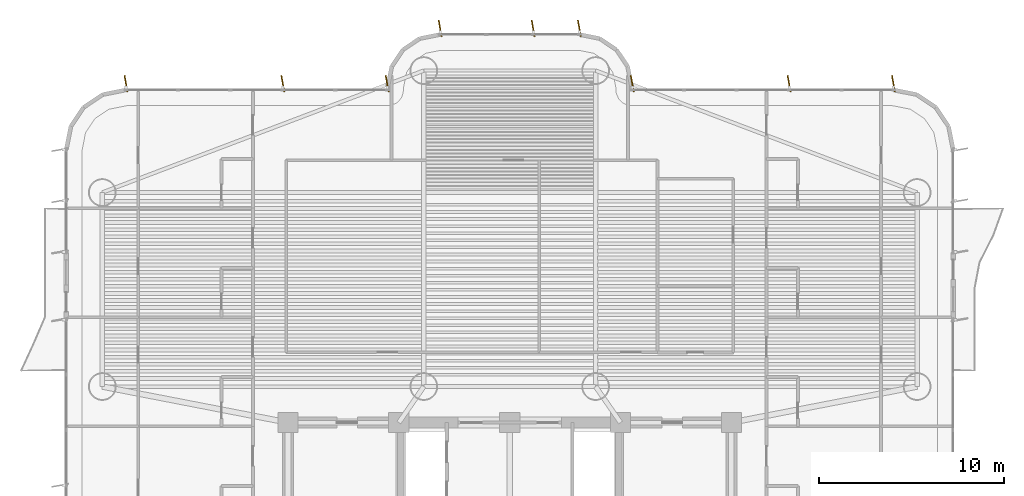
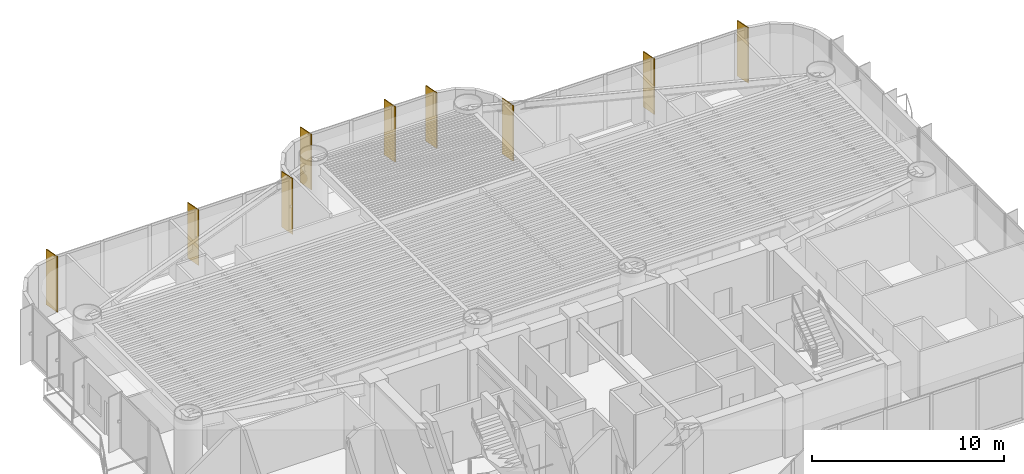
# One storey, part 18 of 18: 9 shading devices.
"""IFC4 building model written with IfcOpenShell, lengths in metres."""

from ifc_helpers import new_model, si_unit, direction, frame, origin, origin_2d, place, context, subcontext, project, spatial, rectangle, extrude, source, transform, mapped, material, material_profile, profile_set, type_object, element, save


model = new_model("IFC4")

# Units and contexts
model_context = context("Model", 3, precision=1e-05, world=origin(), true_north=direction((0.0, 1.0)))
body_context = subcontext(model_context, "Body", "Model", "MODEL_VIEW")
ifc_project = project(units=[si_unit("LENGTHUNIT", "METRE"), si_unit("AREAUNIT", "SQUARE_METRE"), si_unit("VOLUMEUNIT", "CUBIC_METRE"), si_unit("PLANEANGLEUNIT", "RADIAN"), si_unit("MASSUNIT", "GRAM", prefix="KILO")], contexts=[model_context])

# Site, building, storey
site_placement = place(None, origin())
site = spatial("IfcSite", under=ifc_project, at=site_placement, CompositionType="ELEMENT")
building_placement = place(site_placement, origin())
building = spatial("IfcBuilding", under=site, at=building_placement, Name="Brelvock Crest Care Tower", CompositionType="ELEMENT")
storey_placement = place(building_placement, frame((0.0, 0.0, 42.1201171875)))
storey = spatial("IfcBuildingStorey", under=building, at=storey_placement, Name="L10", CompositionType="ELEMENT", Elevation=42.1201171875)

# Shading devices
ifc_material = material(Name="Aluminium 6063-T6", Category="aluminium")
ifc_material_profile = material_profile(ifc_material, rectangle(XDim=0.054931640625, YDim=0.89990234375, at=origin_2d()), Name="FIN55x900")
ifc_profile_set = profile_set([ifc_material_profile], Name="Aluminium 6063-T6")
shading_device_type = type_object("IfcShadingDeviceType", Name="SHD-FIN1", PredefinedType="USERDEFINED", material=ifc_profile_set)
shared_shape = source(origin(), body_context, "Body", "SweptSolid", [
    extrude(rectangle(XDim=0.054931640625, YDim=0.89990234375, at=origin_2d()), origin(), (0.0, 0.0, 1.0), 3.52978515625),
])
for number, where, z_axis, x_axis, name in (
    (1, (15.232421875, 36.340087890625, 0.0), (0.0, 0.0, 1.0), (0.984807753012, 0.173648177667, 0.0), "L10 Vertical Sunshade Fin E18-01"),
    (2, (23.719970703125, 36.340087890625, 0.0), (0.0, 0.0, 1.0), (0.984807753012, 0.173648177667, 0.0), "L10 Vertical Sunshade Fin E18-04"),
    (3, (29.367431640625, 36.340087890625, 0.0), (0.0, 0.0, 1.0), (0.984807753012, 0.173648177667, 0.0), "L10 Vertical Sunshade Fin E18-06"),
    (4, (32.232421875, 39.340087890625, 0.0), (0.0, 0.0, 1.0), (0.984807753012, 0.173648177667, 0.0), "L10 Vertical Sunshade Fin E24-01"),
    (5, (37.2666015625, 39.340087890625, 0.0), (0.0, 0.0, 1.0), (0.984807753012, 0.173648177667, 0.0), "L10 Vertical Sunshade Fin E24-03"),
    (6, (39.767578125, 39.340087890625, 0.0), (0.0, 0.0, 1.0), (0.984807753012, 0.173648177667, 0.0), "L10 Vertical Sunshade Fin E24-04"),
    (7, (42.632568359375, 36.340087890625, 0.0), (0.0, 0.0, 1.0), (0.984807753012, 0.173648177667, 0.0), "L10 Vertical Sunshade Fin E30-01"),
    (8, (51.1201171875, 36.340087890625, 0.0), (0.0, 0.0, 1.0), (0.984807753012, 0.173648177667, 0.0), "L10 Vertical Sunshade Fin E30-04"),
    (9, (56.767578125, 36.340087890625, 0.0), (0.0, 0.0, 1.0), (0.984807753012, 0.173648177667, 0.0), "L10 Vertical Sunshade Fin E30-06"),
):
    element("IfcShadingDevice", number, at=place(storey_placement, frame(where, z_axis=z_axis, x_axis=x_axis)), inside=storey, type_object=shading_device_type, Name=name, ObjectType="FIN", PredefinedType="USERDEFINED", context=body_context, shape_type="MappedRepresentation", body=[
        mapped(shared_shape, transform((0.0, 0.0, 0.0), x_axis=(1.0, 0.0, 0.0), y_axis=(0.0, 1.0, 0.0), z_axis=(0.0, 0.0, 1.0), scale=1.0)),
    ])

save(model, "model.ifc")
